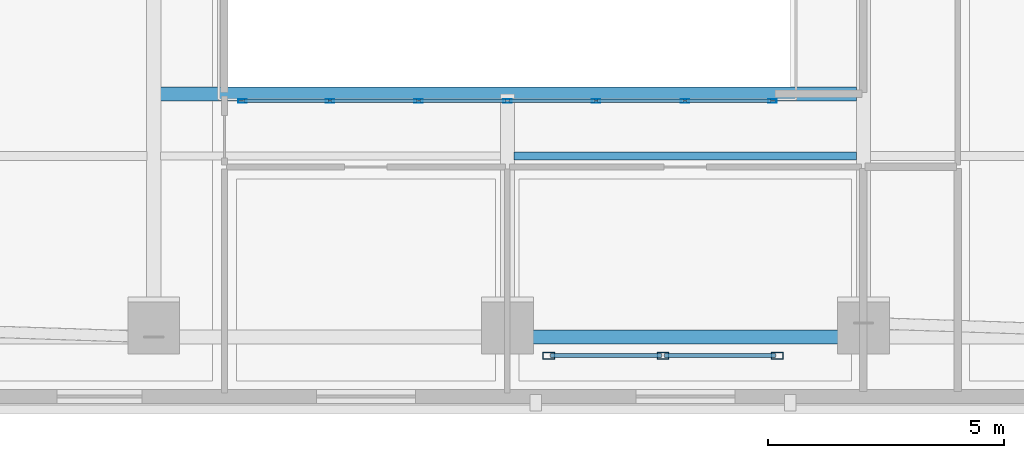
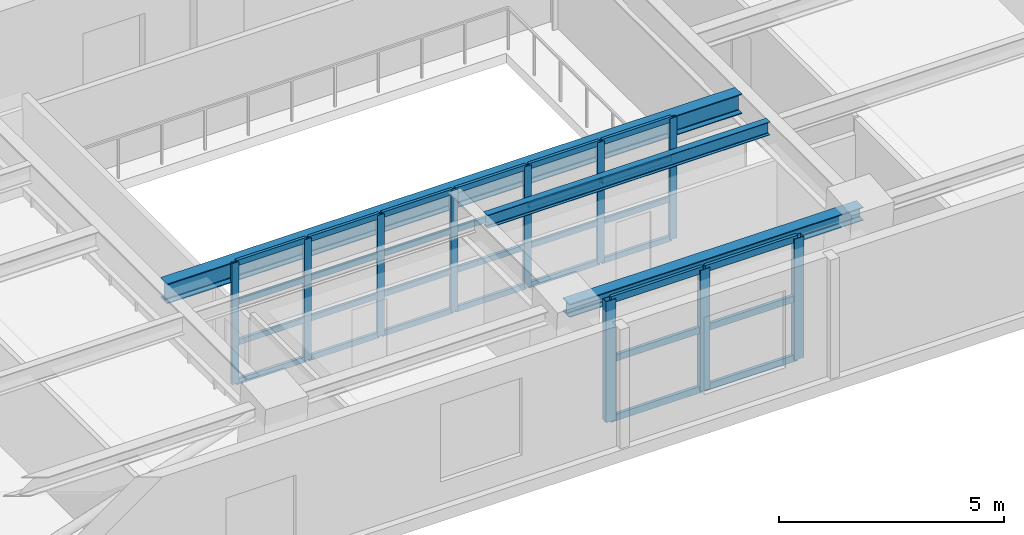
# One storey, part 2 of 12: 40 members, 3 beams, 2 elements without a shape of their own.
"""IFC4 building model written with IfcOpenShell, lengths in metres."""

from ifc_helpers import new_model, si_unit, direction, frame, origin, origin_2d, place, context, subcontext, project, spatial, hollow_rectangle, i_section, extrude, material, layer, layer_set, material_profile, profile_set, type_object, element, aggregate, save


model = new_model("IFC4")

# Units and contexts
model_context = context("Model", 3, precision=1e-05, world=origin(), true_north=direction((0.0, 1.0)))
body_context = subcontext(model_context, "Body", "Model", "MODEL_VIEW")
ifc_project = project(units=[si_unit("LENGTHUNIT", "METRE"), si_unit("AREAUNIT", "SQUARE_METRE"), si_unit("VOLUMEUNIT", "CUBIC_METRE"), si_unit("PLANEANGLEUNIT", "RADIAN"), si_unit("MASSUNIT", "GRAM", prefix="KILO")], contexts=[model_context])

# Site, building, storey
site_placement = place(None, origin())
site = spatial("IfcSite", under=ifc_project, at=site_placement, CompositionType="ELEMENT")
building_placement = place(site_placement, origin())
building = spatial("IfcBuilding", under=site, at=building_placement, Name="Zarnavel Station Tower", CompositionType="ELEMENT")
storey_placement = place(building_placement, frame((0.0, 0.0, 155.449951171875)))
storey = spatial("IfcBuildingStorey", under=building, at=storey_placement, Name="L42", CompositionType="ELEMENT", Elevation=155.449951171875)

# Curtain wall, members
ifc_material_1 = material(Name="Aluminium Dark Anodised and Solar-Control Glass", Category="aluminium")
ifc_layer_1 = layer(ifc_material_1, 0.179931640625)
ifc_layer_set_1 = layer_set([ifc_layer_1], Name="CWS4")
curtain_wall_type_1 = type_object("IfcCurtainWallType", Name="CWS4", PredefinedType="NOTDEFINED", material=ifc_layer_set_1)
curtain_wall_1_placement = place(storey_placement, origin())
curtain_wall_1 = element("IfcCurtainWall", 1, at=curtain_wall_1_placement, inside=storey, type_object=curtain_wall_type_1, Name="L42 Curtain Wall CWS4-L42-AS", PredefinedType="NOTDEFINED")
ifc_material_2 = material(Name="Steel S355J2 (Black Fluoropolymer Coated)", Category="steel")
ifc_material_profile_1 = material_profile(ifc_material_2, hollow_rectangle(XDim=0.080078125, YDim=0.179931640625, WallThickness=0.00634765625, at=origin_2d()), Name="RHS180x80x6.3")
ifc_profile_set_1 = profile_set([ifc_material_profile_1], Name="Steel S355J2 (Black Fluoropolymer Coated)")
member_type_1 = type_object("IfcMemberType", Name="CWS4_MUL", PredefinedType="MULLION", material=ifc_profile_set_1)
member_1_placement = place(storey_placement, frame((23.179931640625, 16.85009765625, 0.0), z_axis=(0.0, 0.0, 1.0), x_axis=(0.0, 1.0, 0.0)))
member_1 = element("IfcMember", 2, at=member_1_placement, type_object=member_type_1, Name="CW4 mullion 1", PredefinedType="MULLION", context=body_context, shape_type="SweptSolid", body=[
    extrude(hollow_rectangle(XDim=0.080078125, YDim=0.179931640625, WallThickness=0.00634765625, at=origin_2d()), origin(), (0.0, 0.0, 1.0), 3.2900390625),
])
member_2_placement = place(storey_placement, frame((25.033447265625, 16.85009765625, 0.0), z_axis=(0.0, 0.0, 1.0), x_axis=(0.0, 1.0, 0.0)))
member_2 = element("IfcMember", 3, at=member_2_placement, type_object=member_type_1, Name="CW4 mullion 2", PredefinedType="MULLION", context=body_context, shape_type="SweptSolid", body=[
    extrude(hollow_rectangle(XDim=0.080078125, YDim=0.179931640625, WallThickness=0.00634765625, at=origin_2d()), origin(), (0.0, 0.0, 1.0), 3.2900390625),
])
member_3_placement = place(storey_placement, frame((26.916748046875, 16.85009765625, 0.0), z_axis=(0.0, 0.0, 1.0), x_axis=(0.0, 1.0, 0.0)))
member_3 = element("IfcMember", 4, at=member_3_placement, type_object=member_type_1, Name="CW4 mullion 3", PredefinedType="MULLION", context=body_context, shape_type="SweptSolid", body=[
    extrude(hollow_rectangle(XDim=0.080078125, YDim=0.179931640625, WallThickness=0.00634765625, at=origin_2d()), origin(), (0.0, 0.0, 1.0), 3.2900390625),
])
member_4_placement = place(storey_placement, frame((28.800048828125, 16.85009765625, 0.0), z_axis=(0.0, 0.0, 1.0), x_axis=(0.0, 1.0, 0.0)))
member_4 = element("IfcMember", 5, at=member_4_placement, type_object=member_type_1, Name="CW4 mullion 4", PredefinedType="MULLION", context=body_context, shape_type="SweptSolid", body=[
    extrude(hollow_rectangle(XDim=0.080078125, YDim=0.179931640625, WallThickness=0.00634765625, at=origin_2d()), origin(), (0.0, 0.0, 1.0), 3.2900390625),
])
member_5_placement = place(storey_placement, frame((30.683349609375, 16.85009765625, 0.0), z_axis=(0.0, 0.0, 1.0), x_axis=(0.0, 1.0, 0.0)))
member_5 = element("IfcMember", 6, at=member_5_placement, type_object=member_type_1, Name="CW4 mullion 5", PredefinedType="MULLION", context=body_context, shape_type="SweptSolid", body=[
    extrude(hollow_rectangle(XDim=0.080078125, YDim=0.179931640625, WallThickness=0.00634765625, at=origin_2d()), origin(), (0.0, 0.0, 1.0), 3.2900390625),
])
member_6_placement = place(storey_placement, frame((32.566650390625, 16.85009765625, 0.0), z_axis=(0.0, 0.0, 1.0), x_axis=(0.0, 1.0, 0.0)))
member_6 = element("IfcMember", 7, at=member_6_placement, type_object=member_type_1, Name="CW4 mullion 6", PredefinedType="MULLION", context=body_context, shape_type="SweptSolid", body=[
    extrude(hollow_rectangle(XDim=0.080078125, YDim=0.179931640625, WallThickness=0.00634765625, at=origin_2d()), origin(), (0.0, 0.0, 1.0), 3.2900390625),
])
member_7_placement = place(storey_placement, frame((34.419921875, 16.85009765625, 0.0), z_axis=(0.0, 0.0, 1.0), x_axis=(0.0, 1.0, 0.0)))
member_7 = element("IfcMember", 8, at=member_7_placement, type_object=member_type_1, Name="CW4 mullion 7", PredefinedType="MULLION", context=body_context, shape_type="SweptSolid", body=[
    extrude(hollow_rectangle(XDim=0.080078125, YDim=0.179931640625, WallThickness=0.00634765625, at=origin_2d()), origin(), (0.0, 0.0, 1.0), 3.2900390625),
])
ifc_material_3 = material(Name="Steel S355J2 (Black Fluoropolymer Coated)", Category="steel")
ifc_material_profile_2 = material_profile(ifc_material_3, hollow_rectangle(XDim=0.074951171875, YDim=0.14990234375, WallThickness=0.00634765625, at=origin_2d()), Name="RHS150x75x6.3")
ifc_profile_set_2 = profile_set([ifc_material_profile_2], Name="Steel S355J2 (Black Fluoropolymer Coated)")
member_type_2 = type_object("IfcMemberType", Name="CWS4_TRN", PredefinedType="USERDEFINED", material=ifc_profile_set_2)
member_8_placement = place(storey_placement, frame((23.2099609375, 16.85009765625, 0.030029296875), z_axis=(1.0, 0.0, 0.0), x_axis=(0.0, 1.0, 0.0)))
member_8 = element("IfcMember", 9, at=member_8_placement, type_object=member_type_2, Name="CW4 transom 1.1", ObjectType="TRANSOM", PredefinedType="USERDEFINED", context=body_context, shape_type="SweptSolid", body=[
    extrude(hollow_rectangle(XDim=0.074951171875, YDim=0.14990234375, WallThickness=0.00634765625, at=origin_2d()), origin(), (0.0, 0.0, 1.0), 1.79345703125),
])
member_9_placement = place(storey_placement, frame((23.2099609375, 16.85009765625, 1.0966796875), z_axis=(1.0, 0.0, 0.0), x_axis=(0.0, 1.0, 0.0)))
member_9 = element("IfcMember", 10, at=member_9_placement, type_object=member_type_2, Name="CW4 transom 1.2", ObjectType="TRANSOM", PredefinedType="USERDEFINED", context=body_context, shape_type="SweptSolid", body=[
    extrude(hollow_rectangle(XDim=0.074951171875, YDim=0.14990234375, WallThickness=0.00634765625, at=origin_2d()), origin(), (0.0, 0.0, 1.0), 1.79345703125),
])
member_10_placement = place(storey_placement, frame((23.2099609375, 16.85009765625, 2.193359375), z_axis=(1.0, 0.0, 0.0), x_axis=(0.0, 1.0, 0.0)))
member_10 = element("IfcMember", 11, at=member_10_placement, type_object=member_type_2, Name="CW4 transom 1.3", ObjectType="TRANSOM", PredefinedType="USERDEFINED", context=body_context, shape_type="SweptSolid", body=[
    extrude(hollow_rectangle(XDim=0.074951171875, YDim=0.14990234375, WallThickness=0.00634765625, at=origin_2d()), origin(), (0.0, 0.0, 1.0), 1.79345703125),
])
member_11_placement = place(storey_placement, frame((23.2099609375, 16.85009765625, 3.260009765625), z_axis=(1.0, 0.0, 0.0), x_axis=(0.0, 1.0, 0.0)))
member_11 = element("IfcMember", 12, at=member_11_placement, type_object=member_type_2, Name="CW4 transom 1.4", ObjectType="TRANSOM", PredefinedType="USERDEFINED", context=body_context, shape_type="SweptSolid", body=[
    extrude(hollow_rectangle(XDim=0.074951171875, YDim=0.14990234375, WallThickness=0.00634765625, at=origin_2d()), origin(), (0.0, 0.0, 1.0), 1.79345703125),
])
member_12_placement = place(storey_placement, frame((25.063232421875, 16.85009765625, 0.030029296875), z_axis=(1.0, 0.0, 0.0), x_axis=(0.0, 1.0, 0.0)))
member_12 = element("IfcMember", 13, at=member_12_placement, type_object=member_type_2, Name="CW4 transom 2.1", ObjectType="TRANSOM", PredefinedType="USERDEFINED", context=body_context, shape_type="SweptSolid", body=[
    extrude(hollow_rectangle(XDim=0.074951171875, YDim=0.14990234375, WallThickness=0.00634765625, at=origin_2d()), origin(), (0.0, 0.0, 1.0), 1.823486328125),
])
member_13_placement = place(storey_placement, frame((25.063232421875, 16.85009765625, 1.0966796875), z_axis=(1.0, 0.0, 0.0), x_axis=(0.0, 1.0, 0.0)))
member_13 = element("IfcMember", 14, at=member_13_placement, type_object=member_type_2, Name="CW4 transom 2.2", ObjectType="TRANSOM", PredefinedType="USERDEFINED", context=body_context, shape_type="SweptSolid", body=[
    extrude(hollow_rectangle(XDim=0.074951171875, YDim=0.14990234375, WallThickness=0.00634765625, at=origin_2d()), origin(), (0.0, 0.0, 1.0), 1.823486328125),
])
member_14_placement = place(storey_placement, frame((25.063232421875, 16.85009765625, 2.193359375), z_axis=(1.0, 0.0, 0.0), x_axis=(0.0, 1.0, 0.0)))
member_14 = element("IfcMember", 15, at=member_14_placement, type_object=member_type_2, Name="CW4 transom 2.3", ObjectType="TRANSOM", PredefinedType="USERDEFINED", context=body_context, shape_type="SweptSolid", body=[
    extrude(hollow_rectangle(XDim=0.074951171875, YDim=0.14990234375, WallThickness=0.00634765625, at=origin_2d()), origin(), (0.0, 0.0, 1.0), 1.823486328125),
])
member_15_placement = place(storey_placement, frame((25.063232421875, 16.85009765625, 3.260009765625), z_axis=(1.0, 0.0, 0.0), x_axis=(0.0, 1.0, 0.0)))
member_15 = element("IfcMember", 16, at=member_15_placement, type_object=member_type_2, Name="CW4 transom 2.4", ObjectType="TRANSOM", PredefinedType="USERDEFINED", context=body_context, shape_type="SweptSolid", body=[
    extrude(hollow_rectangle(XDim=0.074951171875, YDim=0.14990234375, WallThickness=0.00634765625, at=origin_2d()), origin(), (0.0, 0.0, 1.0), 1.823486328125),
])
member_16_placement = place(storey_placement, frame((26.94677734375, 16.85009765625, 0.030029296875), z_axis=(1.0, 0.0, 0.0), x_axis=(0.0, 1.0, 0.0)))
member_16 = element("IfcMember", 17, at=member_16_placement, type_object=member_type_2, Name="CW4 transom 3.1", ObjectType="TRANSOM", PredefinedType="USERDEFINED", context=body_context, shape_type="SweptSolid", body=[
    extrude(hollow_rectangle(XDim=0.074951171875, YDim=0.14990234375, WallThickness=0.00634765625, at=origin_2d()), origin(), (0.0, 0.0, 1.0), 1.8232421875),
])
member_17_placement = place(storey_placement, frame((26.94677734375, 16.85009765625, 1.0966796875), z_axis=(1.0, 0.0, 0.0), x_axis=(0.0, 1.0, 0.0)))
member_17 = element("IfcMember", 18, at=member_17_placement, type_object=member_type_2, Name="CW4 transom 3.2", ObjectType="TRANSOM", PredefinedType="USERDEFINED", context=body_context, shape_type="SweptSolid", body=[
    extrude(hollow_rectangle(XDim=0.074951171875, YDim=0.14990234375, WallThickness=0.00634765625, at=origin_2d()), origin(), (0.0, 0.0, 1.0), 1.8232421875),
])
member_18_placement = place(storey_placement, frame((26.94677734375, 16.85009765625, 2.193359375), z_axis=(1.0, 0.0, 0.0), x_axis=(0.0, 1.0, 0.0)))
member_18 = element("IfcMember", 19, at=member_18_placement, type_object=member_type_2, Name="CW4 transom 3.3", ObjectType="TRANSOM", PredefinedType="USERDEFINED", context=body_context, shape_type="SweptSolid", body=[
    extrude(hollow_rectangle(XDim=0.074951171875, YDim=0.14990234375, WallThickness=0.00634765625, at=origin_2d()), origin(), (0.0, 0.0, 1.0), 1.8232421875),
])
member_19_placement = place(storey_placement, frame((26.94677734375, 16.85009765625, 3.260009765625), z_axis=(1.0, 0.0, 0.0), x_axis=(0.0, 1.0, 0.0)))
member_19 = element("IfcMember", 20, at=member_19_placement, type_object=member_type_2, Name="CW4 transom 3.4", ObjectType="TRANSOM", PredefinedType="USERDEFINED", context=body_context, shape_type="SweptSolid", body=[
    extrude(hollow_rectangle(XDim=0.074951171875, YDim=0.14990234375, WallThickness=0.00634765625, at=origin_2d()), origin(), (0.0, 0.0, 1.0), 1.8232421875),
])
member_20_placement = place(storey_placement, frame((28.830078125, 16.85009765625, 0.030029296875), z_axis=(1.0, 0.0, 0.0), x_axis=(0.0, 1.0, 0.0)))
member_20 = element("IfcMember", 21, at=member_20_placement, type_object=member_type_2, Name="CW4 transom 4.1", ObjectType="TRANSOM", PredefinedType="USERDEFINED", context=body_context, shape_type="SweptSolid", body=[
    extrude(hollow_rectangle(XDim=0.074951171875, YDim=0.14990234375, WallThickness=0.00634765625, at=origin_2d()), origin(), (0.0, 0.0, 1.0), 1.8232421875),
])
member_21_placement = place(storey_placement, frame((28.830078125, 16.85009765625, 1.0966796875), z_axis=(1.0, 0.0, 0.0), x_axis=(0.0, 1.0, 0.0)))
member_21 = element("IfcMember", 22, at=member_21_placement, type_object=member_type_2, Name="CW4 transom 4.2", ObjectType="TRANSOM", PredefinedType="USERDEFINED", context=body_context, shape_type="SweptSolid", body=[
    extrude(hollow_rectangle(XDim=0.074951171875, YDim=0.14990234375, WallThickness=0.00634765625, at=origin_2d()), origin(), (0.0, 0.0, 1.0), 1.8232421875),
])
member_22_placement = place(storey_placement, frame((28.830078125, 16.85009765625, 2.193359375), z_axis=(1.0, 0.0, 0.0), x_axis=(0.0, 1.0, 0.0)))
member_22 = element("IfcMember", 23, at=member_22_placement, type_object=member_type_2, Name="CW4 transom 4.3", ObjectType="TRANSOM", PredefinedType="USERDEFINED", context=body_context, shape_type="SweptSolid", body=[
    extrude(hollow_rectangle(XDim=0.074951171875, YDim=0.14990234375, WallThickness=0.00634765625, at=origin_2d()), origin(), (0.0, 0.0, 1.0), 1.8232421875),
])
member_23_placement = place(storey_placement, frame((28.830078125, 16.85009765625, 3.260009765625), z_axis=(1.0, 0.0, 0.0), x_axis=(0.0, 1.0, 0.0)))
member_23 = element("IfcMember", 24, at=member_23_placement, type_object=member_type_2, Name="CW4 transom 4.4", ObjectType="TRANSOM", PredefinedType="USERDEFINED", context=body_context, shape_type="SweptSolid", body=[
    extrude(hollow_rectangle(XDim=0.074951171875, YDim=0.14990234375, WallThickness=0.00634765625, at=origin_2d()), origin(), (0.0, 0.0, 1.0), 1.8232421875),
])
member_24_placement = place(storey_placement, frame((30.71337890625, 16.85009765625, 0.030029296875), z_axis=(1.0, 0.0, 0.0), x_axis=(0.0, 1.0, 0.0)))
member_24 = element("IfcMember", 25, at=member_24_placement, type_object=member_type_2, Name="CW4 transom 5.1", ObjectType="TRANSOM", PredefinedType="USERDEFINED", context=body_context, shape_type="SweptSolid", body=[
    extrude(hollow_rectangle(XDim=0.074951171875, YDim=0.14990234375, WallThickness=0.00634765625, at=origin_2d()), origin(), (0.0, 0.0, 1.0), 1.8232421875),
])
member_25_placement = place(storey_placement, frame((30.71337890625, 16.85009765625, 1.0966796875), z_axis=(1.0, 0.0, 0.0), x_axis=(0.0, 1.0, 0.0)))
member_25 = element("IfcMember", 26, at=member_25_placement, type_object=member_type_2, Name="CW4 transom 5.2", ObjectType="TRANSOM", PredefinedType="USERDEFINED", context=body_context, shape_type="SweptSolid", body=[
    extrude(hollow_rectangle(XDim=0.074951171875, YDim=0.14990234375, WallThickness=0.00634765625, at=origin_2d()), origin(), (0.0, 0.0, 1.0), 1.8232421875),
])
member_26_placement = place(storey_placement, frame((30.71337890625, 16.85009765625, 2.193359375), z_axis=(1.0, 0.0, 0.0), x_axis=(0.0, 1.0, 0.0)))
member_26 = element("IfcMember", 27, at=member_26_placement, type_object=member_type_2, Name="CW4 transom 5.3", ObjectType="TRANSOM", PredefinedType="USERDEFINED", context=body_context, shape_type="SweptSolid", body=[
    extrude(hollow_rectangle(XDim=0.074951171875, YDim=0.14990234375, WallThickness=0.00634765625, at=origin_2d()), origin(), (0.0, 0.0, 1.0), 1.8232421875),
])
member_27_placement = place(storey_placement, frame((30.71337890625, 16.85009765625, 3.260009765625), z_axis=(1.0, 0.0, 0.0), x_axis=(0.0, 1.0, 0.0)))
member_27 = element("IfcMember", 28, at=member_27_placement, type_object=member_type_2, Name="CW4 transom 5.4", ObjectType="TRANSOM", PredefinedType="USERDEFINED", context=body_context, shape_type="SweptSolid", body=[
    extrude(hollow_rectangle(XDim=0.074951171875, YDim=0.14990234375, WallThickness=0.00634765625, at=origin_2d()), origin(), (0.0, 0.0, 1.0), 1.8232421875),
])
member_28_placement = place(storey_placement, frame((32.5966796875, 16.85009765625, 0.030029296875), z_axis=(1.0, 0.0, 0.0), x_axis=(0.0, 1.0, 0.0)))
member_28 = element("IfcMember", 29, at=member_28_placement, type_object=member_type_2, Name="CW4 transom 6.1", ObjectType="TRANSOM", PredefinedType="USERDEFINED", context=body_context, shape_type="SweptSolid", body=[
    extrude(hollow_rectangle(XDim=0.074951171875, YDim=0.14990234375, WallThickness=0.00634765625, at=origin_2d()), origin(), (0.0, 0.0, 1.0), 1.793212890625),
])
member_29_placement = place(storey_placement, frame((32.5966796875, 16.85009765625, 1.0966796875), z_axis=(1.0, 0.0, 0.0), x_axis=(0.0, 1.0, 0.0)))
member_29 = element("IfcMember", 30, at=member_29_placement, type_object=member_type_2, Name="CW4 transom 6.2", ObjectType="TRANSOM", PredefinedType="USERDEFINED", context=body_context, shape_type="SweptSolid", body=[
    extrude(hollow_rectangle(XDim=0.074951171875, YDim=0.14990234375, WallThickness=0.00634765625, at=origin_2d()), origin(), (0.0, 0.0, 1.0), 1.793212890625),
])
member_30_placement = place(storey_placement, frame((32.5966796875, 16.85009765625, 2.193359375), z_axis=(1.0, 0.0, 0.0), x_axis=(0.0, 1.0, 0.0)))
member_30 = element("IfcMember", 31, at=member_30_placement, type_object=member_type_2, Name="CW4 transom 6.3", ObjectType="TRANSOM", PredefinedType="USERDEFINED", context=body_context, shape_type="SweptSolid", body=[
    extrude(hollow_rectangle(XDim=0.074951171875, YDim=0.14990234375, WallThickness=0.00634765625, at=origin_2d()), origin(), (0.0, 0.0, 1.0), 1.793212890625),
])
member_31_placement = place(storey_placement, frame((32.5966796875, 16.85009765625, 3.260009765625), z_axis=(1.0, 0.0, 0.0), x_axis=(0.0, 1.0, 0.0)))
member_31 = element("IfcMember", 32, at=member_31_placement, type_object=member_type_2, Name="CW4 transom 6.4", ObjectType="TRANSOM", PredefinedType="USERDEFINED", context=body_context, shape_type="SweptSolid", body=[
    extrude(hollow_rectangle(XDim=0.074951171875, YDim=0.14990234375, WallThickness=0.00634765625, at=origin_2d()), origin(), (0.0, 0.0, 1.0), 1.793212890625),
])
aggregate(curtain_wall_1, [member_1, member_2, member_3, member_4, member_5, member_6, member_7, member_8, member_9, member_10, member_11, member_12, member_13, member_14, member_15, member_16, member_17, member_18, member_19, member_20, member_21, member_22, member_23, member_24, member_25, member_26, member_27, member_28, member_29, member_30, member_31])

ifc_material_4 = material(Name="Aluminium Dark Anodised and Solar-Control Glass", Category="aluminium")
ifc_layer_2 = layer(ifc_material_4, 0.179931640625)
ifc_layer_set_2 = layer_set([ifc_layer_2], Name="CWS6")
curtain_wall_type_2 = type_object("IfcCurtainWallType", Name="CWS6", PredefinedType="NOTDEFINED", material=ifc_layer_set_2)
curtain_wall_2_placement = place(storey_placement, origin())
curtain_wall_2 = element("IfcCurtainWall", 33, at=curtain_wall_2_placement, inside=storey, type_object=curtain_wall_type_2, Name="L42 Curtain Wall CWS6-LOG-L42", PredefinedType="NOTDEFINED")
ifc_material_5 = material(Name="Steel S355J2 (Black Fluoropolymer Coated)", Category="steel")
ifc_material_profile_3 = material_profile(ifc_material_5, hollow_rectangle(XDim=0.14990234375, YDim=0.25, WallThickness=0.010009765625, at=origin_2d()), Name="RHS250x150x10")
ifc_profile_set_3 = profile_set([ifc_material_profile_3], Name="Steel S355J2 (Black Fluoropolymer Coated)")
member_type_3 = type_object("IfcMemberType", Name="CWS6_MUL", PredefinedType="MULLION", material=ifc_profile_set_3)
member_32_placement = place(storey_placement, frame((29.679931640625, 11.449951171875, 0.0), z_axis=(0.0, 0.0, 1.0), x_axis=(0.0, 1.0, 0.0)))
member_32 = element("IfcMember", 34, at=member_32_placement, type_object=member_type_3, Name="CW6 mullion 1", PredefinedType="MULLION", context=body_context, shape_type="SweptSolid", body=[
    extrude(hollow_rectangle(XDim=0.14990234375, YDim=0.25, WallThickness=0.010009765625, at=origin_2d()), origin(), (0.0, 0.0, 1.0), 3.2900390625),
])
member_33_placement = place(storey_placement, frame((32.10009765625, 11.449951171875, 0.0), z_axis=(0.0, 0.0, 1.0), x_axis=(0.0, 1.0, 0.0)))
member_33 = element("IfcMember", 35, at=member_33_placement, type_object=member_type_3, Name="CW6 mullion 2", PredefinedType="MULLION", context=body_context, shape_type="SweptSolid", body=[
    extrude(hollow_rectangle(XDim=0.14990234375, YDim=0.25, WallThickness=0.010009765625, at=origin_2d()), origin(), (0.0, 0.0, 1.0), 3.2900390625),
])
member_34_placement = place(storey_placement, frame((34.52001953125, 11.449951171875, 0.0), z_axis=(0.0, 0.0, 1.0), x_axis=(0.0, 1.0, 0.0)))
member_34 = element("IfcMember", 36, at=member_34_placement, type_object=member_type_3, Name="CW6 mullion 3", PredefinedType="MULLION", context=body_context, shape_type="SweptSolid", body=[
    extrude(hollow_rectangle(XDim=0.14990234375, YDim=0.25, WallThickness=0.010009765625, at=origin_2d()), origin(), (0.0, 0.0, 1.0), 3.2900390625),
])
ifc_material_6 = material(Name="Steel S355J2 (Black Fluoropolymer Coated)", Category="steel")
ifc_material_profile_4 = material_profile(ifc_material_6, hollow_rectangle(XDim=0.080078125, YDim=0.179931640625, WallThickness=0.00634765625, at=origin_2d()), Name="RHS180x80x6.3")
ifc_profile_set_4 = profile_set([ifc_material_profile_4], Name="Steel S355J2 (Black Fluoropolymer Coated)")
member_type_4 = type_object("IfcMemberType", Name="CWS6_TRN", PredefinedType="USERDEFINED", material=ifc_profile_set_4)
member_35_placement = place(storey_placement, frame((29.7099609375, 11.449951171875, 0.030029296875), z_axis=(1.0, 0.0, 0.0), x_axis=(0.0, 1.0, 0.0)))
member_35 = element("IfcMember", 37, at=member_35_placement, type_object=member_type_4, Name="CW6 transom 1.1", ObjectType="TRANSOM", PredefinedType="USERDEFINED", context=body_context, shape_type="SweptSolid", body=[
    extrude(hollow_rectangle(XDim=0.080078125, YDim=0.179931640625, WallThickness=0.00634765625, at=origin_2d()), origin(), (0.0, 0.0, 1.0), 2.360107421875),
])
member_36_placement = place(storey_placement, frame((29.7099609375, 11.449951171875, 1.64501953125), z_axis=(1.0, 0.0, 0.0), x_axis=(0.0, 1.0, 0.0)))
member_36 = element("IfcMember", 38, at=member_36_placement, type_object=member_type_4, Name="CW6 transom 1.2", ObjectType="TRANSOM", PredefinedType="USERDEFINED", context=body_context, shape_type="SweptSolid", body=[
    extrude(hollow_rectangle(XDim=0.080078125, YDim=0.179931640625, WallThickness=0.00634765625, at=origin_2d()), origin(), (0.0, 0.0, 1.0), 2.360107421875),
])
member_37_placement = place(storey_placement, frame((29.7099609375, 11.449951171875, 3.260009765625), z_axis=(1.0, 0.0, 0.0), x_axis=(0.0, 1.0, 0.0)))
member_37 = element("IfcMember", 39, at=member_37_placement, type_object=member_type_4, Name="CW6 transom 1.3", ObjectType="TRANSOM", PredefinedType="USERDEFINED", context=body_context, shape_type="SweptSolid", body=[
    extrude(hollow_rectangle(XDim=0.080078125, YDim=0.179931640625, WallThickness=0.00634765625, at=origin_2d()), origin(), (0.0, 0.0, 1.0), 2.360107421875),
])
member_38_placement = place(storey_placement, frame((32.1298828125, 11.449951171875, 0.030029296875), z_axis=(1.0, 0.0, 0.0), x_axis=(0.0, 1.0, 0.0)))
member_38 = element("IfcMember", 40, at=member_38_placement, type_object=member_type_4, Name="CW6 transom 2.1", ObjectType="TRANSOM", PredefinedType="USERDEFINED", context=body_context, shape_type="SweptSolid", body=[
    extrude(hollow_rectangle(XDim=0.080078125, YDim=0.179931640625, WallThickness=0.00634765625, at=origin_2d()), origin(), (0.0, 0.0, 1.0), 2.360107421875),
])
member_39_placement = place(storey_placement, frame((32.1298828125, 11.449951171875, 1.64501953125), z_axis=(1.0, 0.0, 0.0), x_axis=(0.0, 1.0, 0.0)))
member_39 = element("IfcMember", 41, at=member_39_placement, type_object=member_type_4, Name="CW6 transom 2.2", ObjectType="TRANSOM", PredefinedType="USERDEFINED", context=body_context, shape_type="SweptSolid", body=[
    extrude(hollow_rectangle(XDim=0.080078125, YDim=0.179931640625, WallThickness=0.00634765625, at=origin_2d()), origin(), (0.0, 0.0, 1.0), 2.360107421875),
])
member_40_placement = place(storey_placement, frame((32.1298828125, 11.449951171875, 3.260009765625), z_axis=(1.0, 0.0, 0.0), x_axis=(0.0, 1.0, 0.0)))
member_40 = element("IfcMember", 42, at=member_40_placement, type_object=member_type_4, Name="CW6 transom 2.3", ObjectType="TRANSOM", PredefinedType="USERDEFINED", context=body_context, shape_type="SweptSolid", body=[
    extrude(hollow_rectangle(XDim=0.080078125, YDim=0.179931640625, WallThickness=0.00634765625, at=origin_2d()), origin(), (0.0, 0.0, 1.0), 2.360107421875),
])
aggregate(curtain_wall_2, [member_32, member_33, member_34, member_35, member_36, member_37, member_38, member_39, member_40])

# Beams
ifc_material_7 = material(Name="Steel S355J2", Category="steel")
ifc_material_profile_5 = material_profile(ifc_material_7, i_section(OverallWidth=0.300048828125, OverallDepth=0.360107421875, WebThickness=0.012451171875, FlangeThickness=0.0224609375, FilletRadius=0.027099609375, at=origin_2d()), Name="HEB360")
ifc_profile_set_5 = profile_set([ifc_material_profile_5], Name="Steel S355J2")
beam_type_1 = type_object("IfcBeamType", Name="EB_HEB360", PredefinedType="SPANDREL", material=ifc_profile_set_5)
beam_1_placement = place(storey_placement, frame((28.800048828125, 11.843017578125, 3.110107421875), z_axis=(1.0, 0.0, 0.0), x_axis=(0.0, 1.0, 0.0)))
element("IfcBeam", 43, at=beam_1_placement, inside=storey, type_object=beam_type_1, Name="L42 South Raked Spandrel 3", PredefinedType="SPANDREL", context=body_context, shape_type="SweptSolid", body=[
    extrude(i_section(OverallWidth=0.300048828125, OverallDepth=0.360107421875, WebThickness=0.012451171875, FlangeThickness=0.0224609375, FilletRadius=0.027099609375, at=origin_2d()), origin(), (0.0, 0.0, 1.0), 7.550048828125),
])
ifc_material_8 = material(Name="Steel S355J2", Category="steel")
ifc_material_profile_6 = material_profile(ifc_material_8, i_section(OverallWidth=0.300048828125, OverallDepth=0.5400390625, WebThickness=0.012451171875, FlangeThickness=0.02392578125, FilletRadius=0.027099609375, at=origin_2d()), Name="HEA550")
ifc_profile_set_6 = profile_set([ifc_material_profile_6], Name="Steel S355J2")
beam_type_2 = type_object("IfcBeamType", Name="FB_HEA550", PredefinedType="BEAM", material=ifc_profile_set_6)
beam_2_placement = place(storey_placement, frame((21.445068359375, 17.0, 3.02001953125), z_axis=(1.0, 0.0, 0.0), x_axis=(0.0, 1.0, 0.0)))
element("IfcBeam", 44, at=beam_2_placement, inside=storey, type_object=beam_type_2, Name="L42 Atrium South Edge Girder", PredefinedType="BEAM", context=body_context, shape_type="SweptSolid", body=[
    extrude(i_section(OverallWidth=0.300048828125, OverallDepth=0.5400390625, WebThickness=0.012451171875, FlangeThickness=0.02392578125, FilletRadius=0.027099609375, at=origin_2d()), origin(), (0.0, 0.0, 1.0), 14.760009765625),
])
ifc_material_9 = material(Name="Steel S355J2", Category="steel")
ifc_material_profile_7 = material_profile(ifc_material_9, i_section(OverallWidth=0.169921875, OverallDepth=0.360107421875, WebThickness=0.008056640625, FlangeThickness=0.0126953125, FilletRadius=0.01806640625, at=origin_2d()), Name="IPE360")
ifc_profile_set_7 = profile_set([ifc_material_profile_7], Name="Steel S355J2")
beam_type_3 = type_object("IfcBeamType", Name="FJ_IPE360", PredefinedType="JOIST", material=ifc_profile_set_7)
beam_3_placement = place(storey_placement, frame((28.945068359375, 15.68212890625, 3.110107421875), z_axis=(1.0, 0.0, 0.0), x_axis=(0.0, 1.0, 0.0)))
element("IfcBeam", 45, at=beam_3_placement, inside=storey, type_object=beam_type_3, Name="L42 Mid-East Joist 1", PredefinedType="JOIST", context=body_context, shape_type="SweptSolid", body=[
    extrude(i_section(OverallWidth=0.169921875, OverallDepth=0.360107421875, WebThickness=0.008056640625, FlangeThickness=0.0126953125, FilletRadius=0.01806640625, at=origin_2d()), origin(), (0.0, 0.0, 1.0), 7.260009765625),
])

save(model, "model.ifc")
